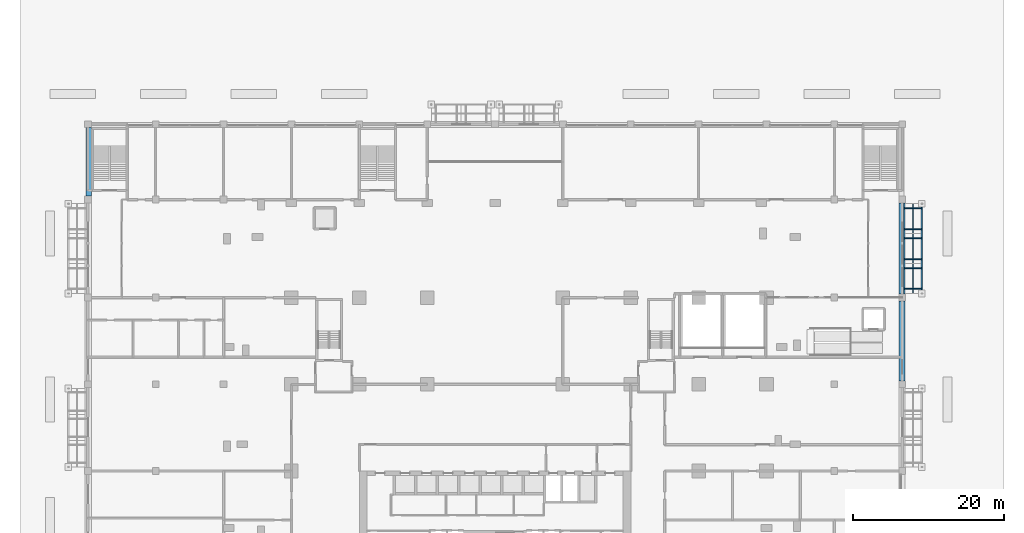
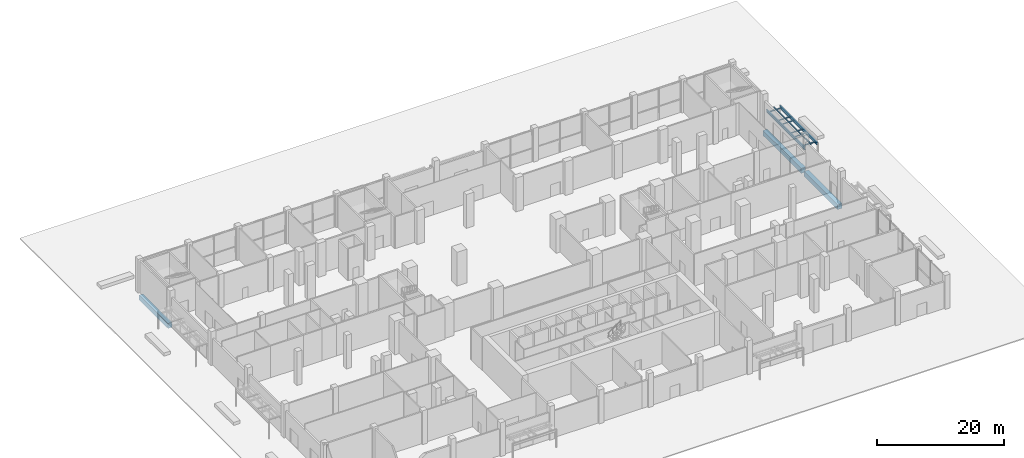
# One storey, part 23 of 39: 11 beams, 3 members.
"""IFC4 building model written with IfcOpenShell, lengths in metres."""

from ifc_helpers import new_model, si_unit, direction, frame, origin, origin_2d, place, context, subcontext, project, spatial, rectangle, hollow_rectangle, i_section, extrude, material, material_profile, profile_set, type_object, element, save


model = new_model("IFC4")

# Units and contexts
model_context = context("Model", 3, precision=1e-05, world=origin(), true_north=direction((0.0, 1.0)))
body_context = subcontext(model_context, "Body", "Model", "MODEL_VIEW")
ifc_project = project(units=[si_unit("LENGTHUNIT", "METRE"), si_unit("AREAUNIT", "SQUARE_METRE"), si_unit("VOLUMEUNIT", "CUBIC_METRE"), si_unit("PLANEANGLEUNIT", "RADIAN"), si_unit("MASSUNIT", "GRAM", prefix="KILO")], contexts=[model_context])

# Site, building, storey
site_placement = place(None, origin())
site = spatial("IfcSite", under=ifc_project, at=site_placement, CompositionType="ELEMENT")
building_placement = place(site_placement, origin())
building = spatial("IfcBuilding", under=site, at=building_placement, Name="Brigalow Station Residences", CompositionType="ELEMENT")
storey_placement = place(building_placement, origin())
storey = spatial("IfcBuildingStorey", under=building, at=storey_placement, Name="L00", CompositionType="ELEMENT", Elevation=0.0)

# Beams
ifc_material_1 = material(Name="Steel Grade 300 to AS/NZS 3679.1", Category="steel")
ifc_material_profile_1 = material_profile(ifc_material_1, i_section(OverallWidth=0.133056640625, OverallDepth=0.203125, WebThickness=0.005859375, FlangeThickness=0.0078125, FilletRadius=0.0087890625, at=origin_2d()), Name="200UB25.4")
ifc_profile_set_1 = profile_set([ifc_material_profile_1], Name="Steel Grade 300 to AS/NZS 3679.1")
beam_type_1 = type_object("IfcBeamType", Name="CANOPY ARM 200UB25.4", PredefinedType="BEAM", material=ifc_profile_set_1)
for number, where, z_axis, x_axis, name in (
    (1, (90.259521484375, 36.64501953125, 3.326416015625), (1.0, 0.0, 0.0), (0.0, 1.0, 0.0), "L00/canopy-arm/E-entry-1-1"),
    (2, (90.259521484375, 39.421630859375, 3.326416015625), (1.0, 0.0, 0.0), (0.0, 1.0, 0.0), "L00/canopy-arm/E-entry-1-2"),
    (3, (90.259521484375, 40.61181640625, 3.326416015625), (1.0, 0.0, 0.0), (0.0, 1.0, 0.0), "L00/canopy-arm/E-entry-2-1"),
    (4, (90.259521484375, 43.38818359375, 3.326416015625), (1.0, 0.0, 0.0), (0.0, 1.0, 0.0), "L00/canopy-arm/E-entry-2-2"),
    (5, (90.259521484375, 44.578369140625, 3.326416015625), (1.0, 0.0, 0.0), (0.0, 1.0, 0.0), "L00/canopy-arm/E-entry-3-1"),
    (6, (90.259521484375, 47.35498046875, 3.326416015625), (1.0, 0.0, 0.0), (0.0, 1.0, 0.0), "L00/canopy-arm/E-entry-3-2"),
):
    element("IfcBeam", number, at=place(storey_placement, frame(where, z_axis=z_axis, x_axis=x_axis)), inside=storey, type_object=beam_type_1, Name=name, PredefinedType="BEAM", context=body_context, shape_type="SweptSolid", body=[
        extrude(i_section(OverallWidth=0.133056640625, OverallDepth=0.203125, WebThickness=0.005859375, FlangeThickness=0.0078125, FilletRadius=0.0087890625, at=origin_2d()), origin(), (0.0, 0.0, 1.0), 2.330810546875),
    ])
ifc_material_2 = material(Name="Steel Grade 300 to AS/NZS 3679.1", Category="steel")
ifc_material_profile_2 = material_profile(ifc_material_2, i_section(OverallWidth=0.208984375, OverallDepth=0.532958984375, WebThickness=0.01025390625, FlangeThickness=0.015625, FilletRadius=0.013916015625, at=origin_2d()), Name="530UB92.4")
ifc_profile_set_2 = profile_set([ifc_material_profile_2], Name="Steel Grade 300 to AS/NZS 3679.1")
beam_type_2 = type_object("IfcBeamType", Name="CANOPY EDGE BEAM OVER 10 M SPAN 530UB92.4", PredefinedType="BEAM", material=ifc_profile_set_2)
beam_1_placement = place(storey_placement, frame((90.25439453125, 35.949951171875, 3.21142578125), z_axis=(0.0, 1.0, 0.0), x_axis=(-1.0, 0.0, 0.0)))
element("IfcBeam", 7, at=beam_1_placement, inside=storey, type_object=beam_type_2, Name="L00/canopy-beam/E-entry", PredefinedType="BEAM", context=body_context, shape_type="SweptSolid", body=[
    extrude(i_section(OverallWidth=0.208984375, OverallDepth=0.532958984375, WebThickness=0.01025390625, FlangeThickness=0.015625, FilletRadius=0.013916015625, at=origin_2d()), origin(), (0.0, 0.0, 1.0), 12.10009765625),
])
beam_2_placement = place(storey_placement, frame((92.595458984375, 36.10009765625, 3.21142578125), z_axis=(0.0, 1.0, 0.0), x_axis=(-1.0, 0.0, 0.0)))
element("IfcBeam", 8, at=beam_2_placement, inside=storey, type_object=beam_type_2, Name="L00/canopy-tip/E-entry", PredefinedType="BEAM", context=body_context, shape_type="SweptSolid", body=[
    extrude(i_section(OverallWidth=0.208984375, OverallDepth=0.532958984375, WebThickness=0.01025390625, FlangeThickness=0.015625, FilletRadius=0.013916015625, at=origin_2d()), origin(), (0.0, 0.0, 1.0), 11.7998046875),
])

# Members
ifc_material_3 = material(Name="Steel Grade C450L0 to AS/NZS 1163", Category="steel")
ifc_material_profile_3 = material_profile(ifc_material_3, hollow_rectangle(XDim=0.14990234375, YDim=0.25, WallThickness=0.009033203125, InnerFilletRadius=0.013427734375, OuterFilletRadius=0.0224609375, at=origin_2d()), Name="250x150x9.0RHS")
ifc_profile_set_3 = profile_set([ifc_material_profile_3], Name="Steel Grade C450L0 to AS/NZS 1163")
member_type = type_object("IfcMemberType", Name="CANOPY GLAZING RAIL 250x150x9.0RHS", PredefinedType="MEMBER", material=ifc_profile_set_3)
for number, where, z_axis, x_axis, name in (
    (9, (91.425048828125, 36.110107421875, 3.552978515625), (0.0, 1.0, 0.0), (-1.0, 0.0, 0.0), "L00/canopy-rail/E-entry-1"),
    (10, (91.425048828125, 40.07666015625, 3.552978515625), (0.0, 1.0, 0.0), (-1.0, 0.0, 0.0), "L00/canopy-rail/E-entry-2"),
    (11, (91.425048828125, 44.043212890625, 3.552978515625), (0.0, 1.0, 0.0), (-1.0, 0.0, 0.0), "L00/canopy-rail/E-entry-3"),
):
    element("IfcMember", number, at=place(storey_placement, frame(where, z_axis=z_axis, x_axis=x_axis)), inside=storey, type_object=member_type, Name=name, PredefinedType="MEMBER", context=body_context, shape_type="SweptSolid", body=[
        extrude(hollow_rectangle(XDim=0.14990234375, YDim=0.25, WallThickness=0.009033203125, InnerFilletRadius=0.013427734375, OuterFilletRadius=0.0224609375, at=origin_2d()), origin(), (0.0, 0.0, 1.0), 3.8466796875),
    ])

# Beams
ifc_material_4 = material(Name="Concrete C65", Category="concrete")
ifc_material_profile_4 = material_profile(ifc_material_4, rectangle(XDim=0.699951171875, YDim=0.949951171875, at=origin_2d()), Name="RC700x950")
ifc_profile_set_4 = profile_set([ifc_material_profile_4], Name="Concrete C65")
beam_type_3 = type_object("IfcBeamType", Name="EDGE GIRDER 4.5 TO 9.9 M SPAN 700x950 C65", PredefinedType="BEAM", material=ifc_profile_set_4)
beam_3_placement = place(storey_placement, frame((-17.89990234375, 48.949951171875, -0.876953125), z_axis=(0.0, 1.0, 0.0), x_axis=(-1.0, 0.0, 0.0)))
element("IfcBeam", 12, at=beam_3_placement, inside=storey, type_object=beam_type_3, Name="PODIUM EDGE GIRDER W36 L00", PredefinedType="BEAM", context=body_context, shape_type="SweptSolid", body=[
    extrude(rectangle(XDim=0.699951171875, YDim=0.949951171875, at=origin_2d()), origin(), (0.0, 0.0, 1.0), 9.10009765625),
])
ifc_material_5 = material(Name="Concrete C65", Category="concrete")
ifc_material_profile_5 = material_profile(ifc_material_5, rectangle(XDim=0.800048828125, YDim=0.949951171875, at=origin_2d()), Name="RC800x950")
ifc_profile_set_5 = profile_set([ifc_material_profile_5], Name="Concrete C65")
beam_type_4 = type_object("IfcBeamType", Name="EDGE GIRDER OVER 9.9 M SPAN 800x950 C65", PredefinedType="BEAM", material=ifc_profile_set_5)
beam_4_placement = place(storey_placement, frame((89.949951171875, 24.449951171875, -0.876953125), z_axis=(0.0, 1.0, 0.0), x_axis=(-1.0, 0.0, 0.0)))
element("IfcBeam", 13, at=beam_4_placement, inside=storey, type_object=beam_type_4, Name="PODIUM EDGE GIRDER E16 L00", PredefinedType="BEAM", context=body_context, shape_type="SweptSolid", body=[
    extrude(rectangle(XDim=0.800048828125, YDim=0.949951171875, at=origin_2d()), origin(), (0.0, 0.0, 1.0), 10.60009765625),
])
beam_5_placement = place(storey_placement, frame((89.949951171875, 35.949951171875, -0.876953125), z_axis=(0.0, 1.0, 0.0), x_axis=(-1.0, 0.0, 0.0)))
element("IfcBeam", 14, at=beam_5_placement, inside=storey, type_object=beam_type_4, Name="PODIUM EDGE GIRDER E17 L00", PredefinedType="BEAM", context=body_context, shape_type="SweptSolid", body=[
    extrude(rectangle(XDim=0.800048828125, YDim=0.949951171875, at=origin_2d()), origin(), (0.0, 0.0, 1.0), 12.10009765625),
])

save(model, "model.ifc")
